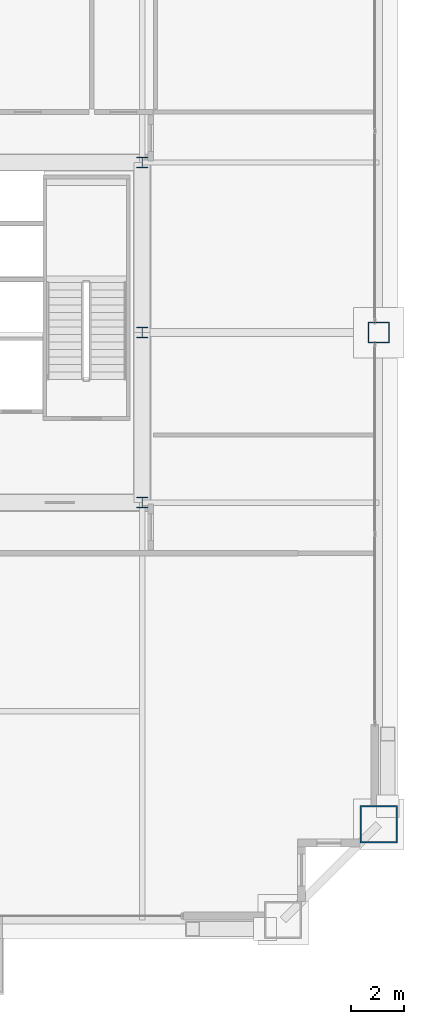
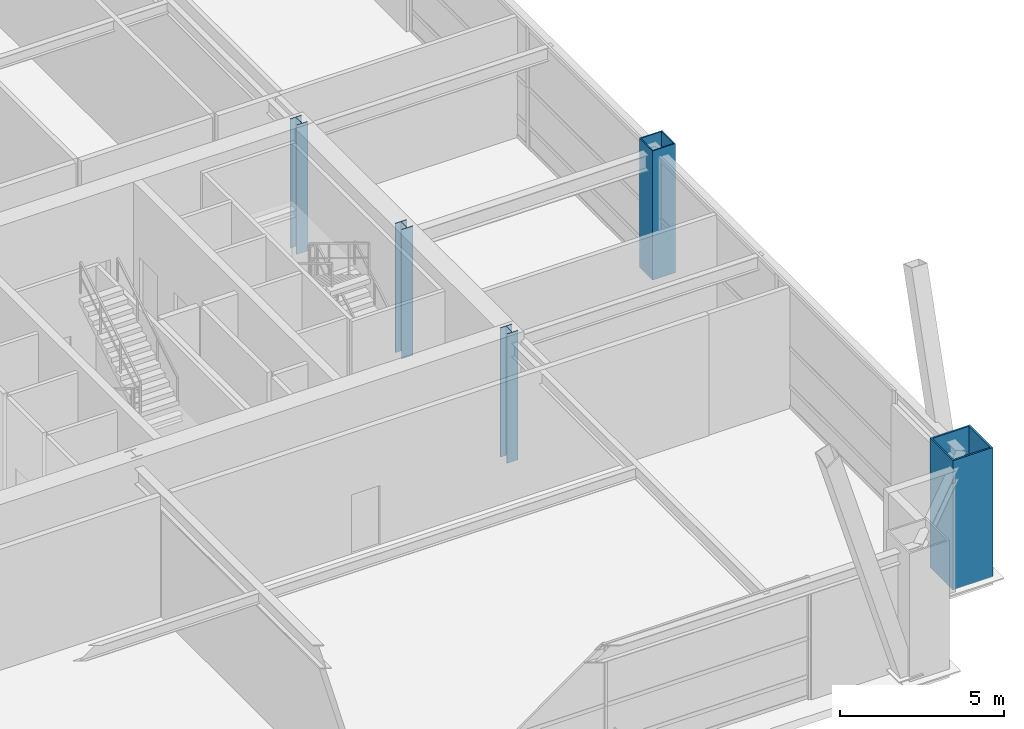
# One storey, part 2 of 34: 5 columns.
"""IFC4 building model written with IfcOpenShell, lengths in metres."""

from ifc_helpers import new_model, si_unit, direction, frame, origin, origin_2d, place, context, subcontext, project, spatial, hollow_rectangle, i_section, extrude, source, transform, mapped, material, material_profile, profile_set, type_object, element, save


model = new_model("IFC4")

# Units and contexts
model_context = context("Model", 3, precision=1e-05, world=origin(), true_north=direction((0.0, 1.0)))
body_context = subcontext(model_context, "Body", "Model", "MODEL_VIEW")
ifc_project = project(units=[si_unit("LENGTHUNIT", "METRE"), si_unit("AREAUNIT", "SQUARE_METRE"), si_unit("VOLUMEUNIT", "CUBIC_METRE"), si_unit("PLANEANGLEUNIT", "RADIAN"), si_unit("MASSUNIT", "GRAM", prefix="KILO"), si_unit("THERMODYNAMICTEMPERATUREUNIT", "KELVIN"), si_unit("POWERUNIT", "WATT")], contexts=[model_context])

# Site, building, storey
site_placement = place(None, origin())
site = spatial("IfcSite", under=ifc_project, at=site_placement, CompositionType="ELEMENT")
building_placement = place(site_placement, origin())
building = spatial("IfcBuilding", under=site, at=building_placement, Name="Yuzanri Waterfront Tower", CompositionType="ELEMENT")
storey_placement = place(building_placement, frame((0.0, 0.0, 166.800048828125)))
storey = spatial("IfcBuildingStorey", under=building, at=storey_placement, Name="L44", CompositionType="ELEMENT", Elevation=166.800048828125)

# Columns
ifc_material_1 = material(Name="Steel Q355B", Category="steel")
ifc_material_profile_1 = material_profile(ifc_material_1, i_section(OverallWidth=0.39990234375, OverallDepth=0.39990234375, WebThickness=0.012939453125, FlangeThickness=0.02099609375, at=origin_2d()), Name="HW 400x400x13x21")
ifc_profile_set_1 = profile_set([ifc_material_profile_1], Name="Steel Q355B")
column_type_1 = type_object("IfcColumnType", Name="Core Post Q355B HW 400x400x13x21", PredefinedType="COLUMN", material=ifc_profile_set_1)
shared_shape_1 = source(origin(), body_context, "Body", "SweptSolid", [
    extrude(i_section(OverallWidth=0.39990234375, OverallDepth=0.39990234375, WebThickness=0.012939453125, FlangeThickness=0.02099609375, at=origin_2d()), origin(), (0.0, 0.0, 1.0), 4.800048828125),
])
for number, where, z_axis, x_axis, name in (
    (1, (50.199951171875, 19.39990234375, 0.0), (0.0, 0.0, 1.0), (1.0, 0.0, 0.0), "L44 Core Boundary Column CP3"),
    (2, (50.199951171875, 25.800048828125, 0.0), (0.0, 0.0, 1.0), (1.0, 0.0, 0.0), "L44 Core Boundary Column CP5"),
    (3, (50.199951171875, 32.199951171875, 0.0), (0.0, 0.0, 1.0), (1.0, 0.0, 0.0), "L44 Core Boundary Column CP8"),
):
    element("IfcColumn", number, at=place(storey_placement, frame(where, z_axis=z_axis, x_axis=x_axis)), inside=storey, type_object=column_type_1, Name=name, PredefinedType="COLUMN", context=body_context, shape_type="MappedRepresentation", body=[
        mapped(shared_shape_1, transform((0.0, 0.0, 0.0), scale=1.0)),
    ])
ifc_material_2 = material(Name="Steel Q420GJC", Category="steel")
ifc_material_profile_2 = material_profile(ifc_material_2, hollow_rectangle(XDim=1.39990234375, YDim=1.39990234375, WallThickness=0.06005859375, at=origin_2d()), Name="RHS 1400x1400x60")
ifc_profile_set_2 = profile_set([ifc_material_profile_2], Name="Steel Q420GJC")
column_type_2 = type_object("IfcColumnType", Name="Mega Column Q420GJC RHS 1400x1400x60", PredefinedType="COLUMN", material=ifc_profile_set_2)
shared_shape_2 = source(origin(), body_context, "Body", "SweptSolid", [
    extrude(hollow_rectangle(XDim=1.39990234375, YDim=1.39990234375, WallThickness=0.06005859375, at=origin_2d()), origin(), (0.0, 0.0, 1.0), 4.800048828125),
])
column_1_placement = place(storey_placement, frame((59.10009765625, 7.300048828125, 0.0), z_axis=(0.0, 0.0, 1.0), x_axis=(1.0, 0.0, 0.0)))
element("IfcColumn", 4, at=column_1_placement, inside=storey, type_object=column_type_2, Name="L44 Perimeter Mega Column E1", PredefinedType="COLUMN", context=body_context, shape_type="MappedRepresentation", body=[
    mapped(shared_shape_2, transform((0.0, 0.0, 0.0), scale=1.0)),
])
ifc_material_3 = material(Name="Steel Q390GJC", Category="steel")
ifc_material_profile_3 = material_profile(ifc_material_3, hollow_rectangle(XDim=0.800048828125, YDim=0.800048828125, WallThickness=0.035888671875, at=origin_2d()), Name="RHS 800x800x36")
ifc_profile_set_3 = profile_set([ifc_material_profile_3], Name="Steel Q390GJC")
column_type_3 = type_object("IfcColumnType", Name="Frame Column Q390GJC RHS 800x800x36", PredefinedType="COLUMN", material=ifc_profile_set_3)
shared_shape_3 = source(origin(), body_context, "Body", "SweptSolid", [
    extrude(hollow_rectangle(XDim=0.800048828125, YDim=0.800048828125, WallThickness=0.035888671875, at=origin_2d()), origin(), (0.0, 0.0, 1.0), 4.800048828125),
])
column_2_placement = place(storey_placement, frame((59.10009765625, 25.800048828125, 0.0), z_axis=(0.0, 0.0, 1.0), x_axis=(1.0, 0.0, 0.0)))
element("IfcColumn", 5, at=column_2_placement, inside=storey, type_object=column_type_3, Name="L44 Perimeter Frame Column E2", PredefinedType="COLUMN", context=body_context, shape_type="MappedRepresentation", body=[
    mapped(shared_shape_3, transform((0.0, 0.0, 0.0), scale=1.0)),
])

save(model, "model.ifc")
